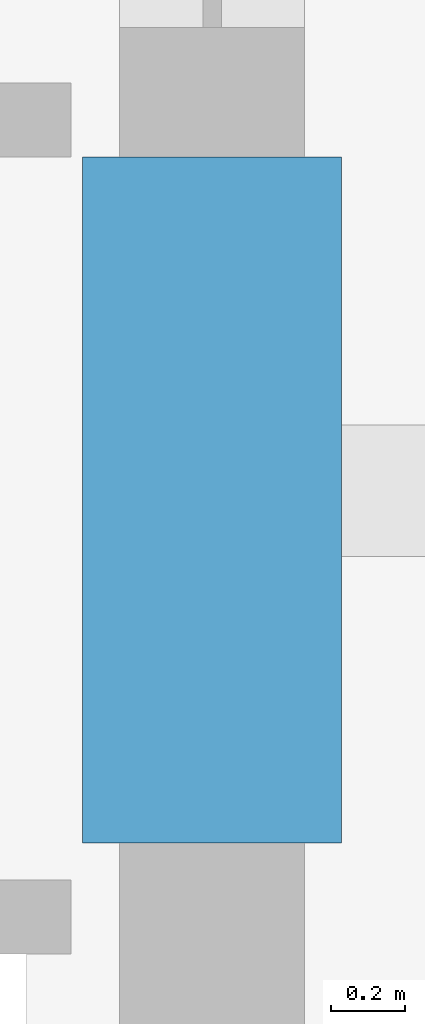
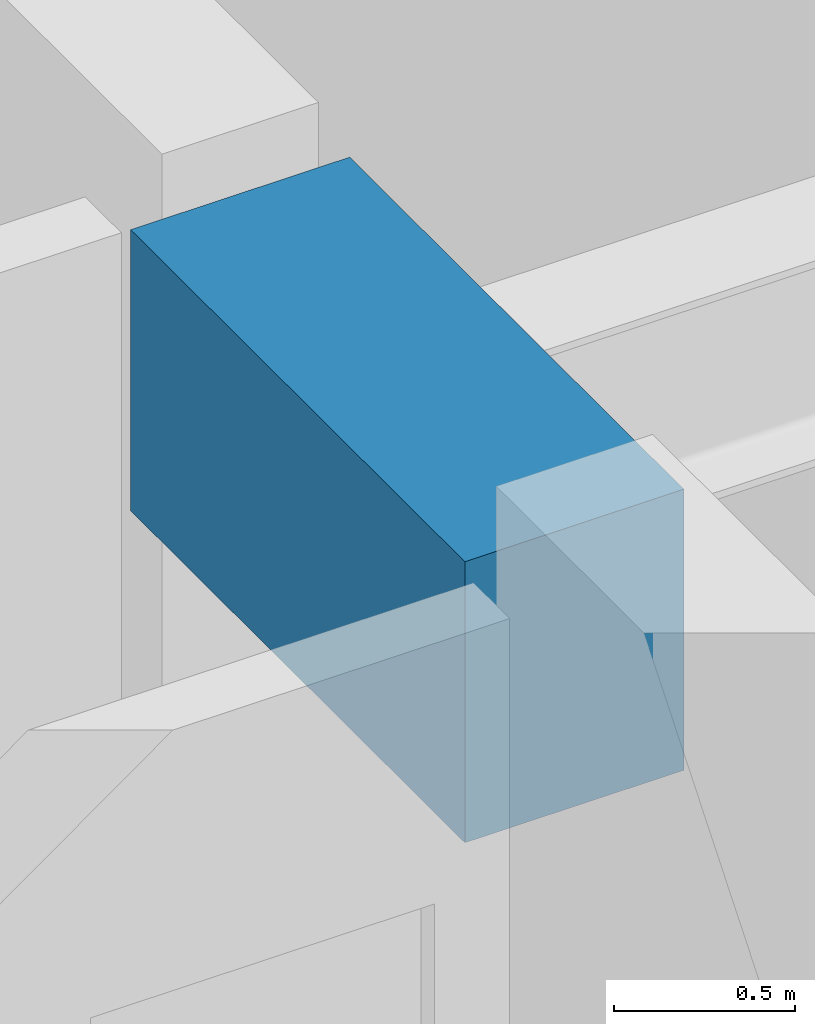
# One storey, part 10 of 36: 1 beam.
"""IFC4 building model written with IfcOpenShell, lengths in metres."""

import ifcopenshell
import ifcopenshell.guid

model = None  # the IFC model being written
_history = None  # IfcOwnerHistory: only IFC2X3 demands one
_inside = {}  # id of a spatial element -> (the spatial element, [elements in it])
_under = {}  # id of a project, library or spatial element -> (it, [spatial elements below it])
_declared = {}  # id of a project -> (the project, [libraries it declares])
_typed = {}  # id of a type object -> (the type object, [elements of that type])
_made_of = {}  # id of a material, layer set ... -> (it, [elements and type objects made of it])


def new_model(schema):
    """Start an empty IFC model of exactly this schema.

    Asked for "IFC4X3", IfcOpenShell would pick the latest addendum, in which some entities
    have other attributes; the version numbers below select the first issue.
    IFC2X3 requires an IfcOwnerHistory on every rooted entity: one is made here for all.
    """
    global model, _history
    if schema == "IFC4X3":
        model = ifcopenshell.file(schema_version=(4, 3, 0, 0))
    else:
        model = ifcopenshell.file(schema=schema)
    _inside.clear()
    _under.clear()
    _declared.clear()
    _typed.clear()
    _made_of.clear()
    _history = None
    if model.schema == "IFC2X3":
        org = make("IfcOrganization", Name="unknown")
        user = make(
            "IfcPersonAndOrganization",
            ThePerson=make("IfcPerson", FamilyName="unknown"),
            TheOrganization=org,
        )
        app = make(
            "IfcApplication",
            ApplicationDeveloper=org,
            Version="unknown",
            ApplicationFullName="unknown",
            ApplicationIdentifier="unknown",
        )
        _history = make(
            "IfcOwnerHistory",
            OwningUser=user,
            OwningApplication=app,
            ChangeAction="ADDED",
            CreationDate=0,
        )
    return model


def make(cls, **values):
    """One entity of the class cls with the attributes given. An attribute that is None is left unset."""
    return model.create_entity(
        cls, **{name: value for name, value in values.items() if value is not None}
    )


def rooted(cls, **values):
    """An entity with a GlobalId (a new one), such as an element, a storey or a relation."""
    return make(cls, GlobalId=ifcopenshell.guid.new(), OwnerHistory=_history, **values)


def si_unit(unit_type, name, prefix=None):
    """IfcSIUnit, for example si_unit("LENGTHUNIT", "METRE", prefix="MILLI")."""
    return make("IfcSIUnit", UnitType=unit_type, Prefix=prefix, Name=name)


def assignment(units):
    """IfcUnitAssignment: the units of a project."""
    return None if units is None else make("IfcUnitAssignment", Units=units)


def point(xyz):
    """IfcCartesianPoint."""
    return None if xyz is None else make("IfcCartesianPoint", Coordinates=xyz)


def direction(xyz):
    """IfcDirection."""
    return None if xyz is None else make("IfcDirection", DirectionRatios=xyz)


def frame(location, z_axis=None, x_axis=None):
    """IfcAxis2Placement3D, a coordinate frame: its origin and axes. An axis left out is left unset."""
    return make(
        "IfcAxis2Placement3D",
        Location=point(location),
        Axis=direction(z_axis),
        RefDirection=direction(x_axis),
    )


def frame_2d(location, x_axis=None):
    """IfcAxis2Placement2D, a coordinate frame in the plane: its origin and x axis."""
    return make(
        "IfcAxis2Placement2D", Location=point(location), RefDirection=direction(x_axis)
    )


def origin():
    """The frame at (0, 0, 0) with its axes left unset."""
    return frame((0.0, 0.0, 0.0))


def origin_2d():
    """The frame at (0, 0) in the plane with its x axis left unset."""
    return frame_2d((0.0, 0.0))


def place(relative_to, where):
    """IfcLocalPlacement: puts the frame where relative to a parent placement (None: the world)."""
    return make(
        "IfcLocalPlacement", PlacementRelTo=relative_to, RelativePlacement=where
    )


def context(
    kind, dimensions, precision=None, world=None, true_north=None, identifier=None
):
    """IfcGeometricRepresentationContext, for example the 3D "Model" context."""
    return make(
        "IfcGeometricRepresentationContext",
        ContextIdentifier=identifier,
        ContextType=kind,
        CoordinateSpaceDimension=dimensions,
        Precision=precision,
        WorldCoordinateSystem=world,
        TrueNorth=true_north,
    )


def subcontext(parent, identifier, kind, view, scale=None):
    """IfcGeometricRepresentationSubContext, for example "Body" below "Model"."""
    return make(
        "IfcGeometricRepresentationSubContext",
        ContextIdentifier=identifier,
        ContextType=kind,
        ParentContext=parent,
        TargetScale=scale,
        TargetView=view,
    )


def project(units=None, contexts=None):
    """IfcProject with its units and contexts."""
    return rooted(
        "IfcProject",
        Name="project",
        RepresentationContexts=contexts,
        UnitsInContext=assignment(units),
    )


def spatial(cls, under=None, at=None, **own):
    """A site, building, storey or space (cls), placed at a placement, below another one or the project."""
    s = rooted(cls, ObjectPlacement=at, **own)
    if under is not None:
        _under.setdefault(under.id(), (under, []))[1].append(s)
    return s


def profile(cls, at=None, kind="AREA", **sizes):
    """A parametric profile (cls). Its sizes go by their IFC names, for example OverallWidth=200.0."""
    return make(cls, ProfileType=kind, Position=at, **sizes)


def rectangle(**sizes):
    """IfcRectangleProfileDef."""
    return profile("IfcRectangleProfileDef", **sizes)


def extrude(swept, where, along, depth):
    """IfcExtrudedAreaSolid: the profile swept, set in the frame where, extruded along a direction by depth."""
    return make(
        "IfcExtrudedAreaSolid",
        SweptArea=swept,
        Position=where,
        ExtrudedDirection=direction(along),
        Depth=depth,
    )


def shape(context_of_items, identifier, shape_type, items):
    """IfcShapeRepresentation: the items that make up one representation, for example the "Body"."""
    return make(
        "IfcShapeRepresentation",
        ContextOfItems=context_of_items,
        RepresentationIdentifier=identifier,
        RepresentationType=shape_type,
        Items=items,
    )


def material(Name=None, Category=None):
    """IfcMaterial."""
    return make("IfcMaterial", Name=Name, Category=Category)


def material_profile(
    of_material, cross_section, Name=None, Category=None, Priority=None
):
    """IfcMaterialProfile: a cross section and its material."""
    return make(
        "IfcMaterialProfile",
        Name=Name,
        Material=of_material,
        Profile=cross_section,
        Priority=Priority,
        Category=Category,
    )


def profile_set(profiles, Name=None, composite=None):
    """IfcMaterialProfileSet."""
    return make(
        "IfcMaterialProfileSet",
        Name=Name,
        MaterialProfiles=profiles,
        CompositeProfile=composite,
    )


def made_of(thing, what):
    """Note that an element or type object is made of a material, layer set ...; save() writes the relation."""
    if what is not None:
        _made_of.setdefault(what.id(), (what, []))[1].append(thing)
    return thing


def type_object(cls, material=None, **own):
    """A type object (cls), such as IfcWallType, which elements share."""
    return made_of(rooted(cls, **own), material)


def element(
    cls,
    number,
    at=None,
    inside=None,
    cuts=None,
    type_object=None,
    material=None,
    context=None,
    identifier="Body",
    shape_type=None,
    held_by="IfcProductDefinitionShape",
    body=None,
    shapes=None,
    **own,
):
    """One element of the class cls, such as IfcWall. Its Tag is "e" and its number.

    at: its placement. inside: the storey or other place that contains it. cuts: it is an
    opening in that element (IfcRelVoidsElement). A single representation is given by context,
    identifier, shape_type and body (its items); several are given by shapes. held_by: the class
    of the entity that holds the representations. save() writes the other relations.
    """
    e = rooted(cls, Tag="e%d" % number, ObjectPlacement=at, **own)
    if body is not None:
        shapes = [shape(context, identifier, shape_type, body)]
    if shapes is not None:
        e.Representation = make(held_by, Representations=shapes)
    if inside is not None:
        _inside.setdefault(inside.id(), (inside, []))[1].append(e)
    if cuts is not None:
        rooted(
            "IfcRelVoidsElement", RelatingBuildingElement=cuts, RelatedOpeningElement=e
        )
    if type_object is not None:
        _typed.setdefault(type_object.id(), (type_object, []))[1].append(e)
    return made_of(e, material)


def aggregate(whole, parts):
    """IfcRelAggregates: a whole, such as a stair, and the parts it consists of."""
    return rooted("IfcRelAggregates", RelatingObject=whole, RelatedObjects=parts)


def save(model, path):
    """Write the relations noted so far, then the file.

    IfcRelAggregates (storeys below a building ...), IfcRelContainedInSpatialStructure (elements
    in a storey), IfcRelDefinesByType, IfcRelAssociatesMaterial and IfcRelDeclares: one each for
    every whole, place, type object, material and project.
    """
    for whole, parts in _under.values():
        aggregate(whole, parts)
    for where, things in _inside.values():
        rooted(
            "IfcRelContainedInSpatialStructure",
            RelatedElements=things,
            RelatingStructure=where,
        )
    for kind, things in _typed.values():
        rooted("IfcRelDefinesByType", RelatedObjects=things, RelatingType=kind)
    for what, things in _made_of.values():
        rooted("IfcRelAssociatesMaterial", RelatedObjects=things, RelatingMaterial=what)
    for by, libraries in _declared.values():
        rooted("IfcRelDeclares", RelatingContext=by, RelatedDefinitions=libraries)
    model.write(path)


model = new_model("IFC4")

# Units and contexts
model_context = context("Model", 3, precision=1e-05, world=origin(), true_north=direction((0.0, 1.0)))
body_context = subcontext(model_context, "Body", "Model", "MODEL_VIEW")
ifc_project = project(units=[si_unit("LENGTHUNIT", "METRE"), si_unit("AREAUNIT", "SQUARE_METRE"), si_unit("VOLUMEUNIT", "CUBIC_METRE"), si_unit("PLANEANGLEUNIT", "RADIAN"), si_unit("MASSUNIT", "GRAM", prefix="KILO")], contexts=[model_context])

# Site, building, storey
site_placement = place(None, origin())
site = spatial("IfcSite", under=ifc_project, at=site_placement, CompositionType="ELEMENT")
building_placement = place(site_placement, origin())
building = spatial("IfcBuilding", under=site, at=building_placement, Name="Kolvaren Belvedere", CompositionType="ELEMENT")
storey_placement = place(building_placement, frame((0.0, 0.0, 193.199951171875)))
storey = spatial("IfcBuildingStorey", under=building, at=storey_placement, Name="L56", CompositionType="ELEMENT", Elevation=193.199951171875)

# Beam
ifc_material = material(Name="Concrete C60/75", Category="concrete")
ifc_material_profile = material_profile(ifc_material, rectangle(XDim=0.699951171875, YDim=0.949951171875, at=origin_2d()), Name="RC 700X950")
ifc_profile_set = profile_set([ifc_material_profile], Name="Concrete C60/75")
beam_type = type_object("IfcBeamType", Name="BM-LINT-950", PredefinedType="LINTEL", material=ifc_profile_set)
beam_placement = place(storey_placement, frame((9.89990234375, -5.550048828125, 2.60498046875), z_axis=(0.0, 1.0, 0.0), x_axis=(-1.0, 0.0, 0.0)))
element("IfcBeam", 1, at=beam_placement, inside=storey, type_object=beam_type, Name="L56 East Core Coupling Lintel", PredefinedType="LINTEL", context=body_context, shape_type="SweptSolid", body=[
    extrude(rectangle(XDim=0.699951171875, YDim=0.949951171875, at=origin_2d()), origin(), (0.0, 0.0, 1.0), 1.85009765625),
])

save(model, "model.ifc")
